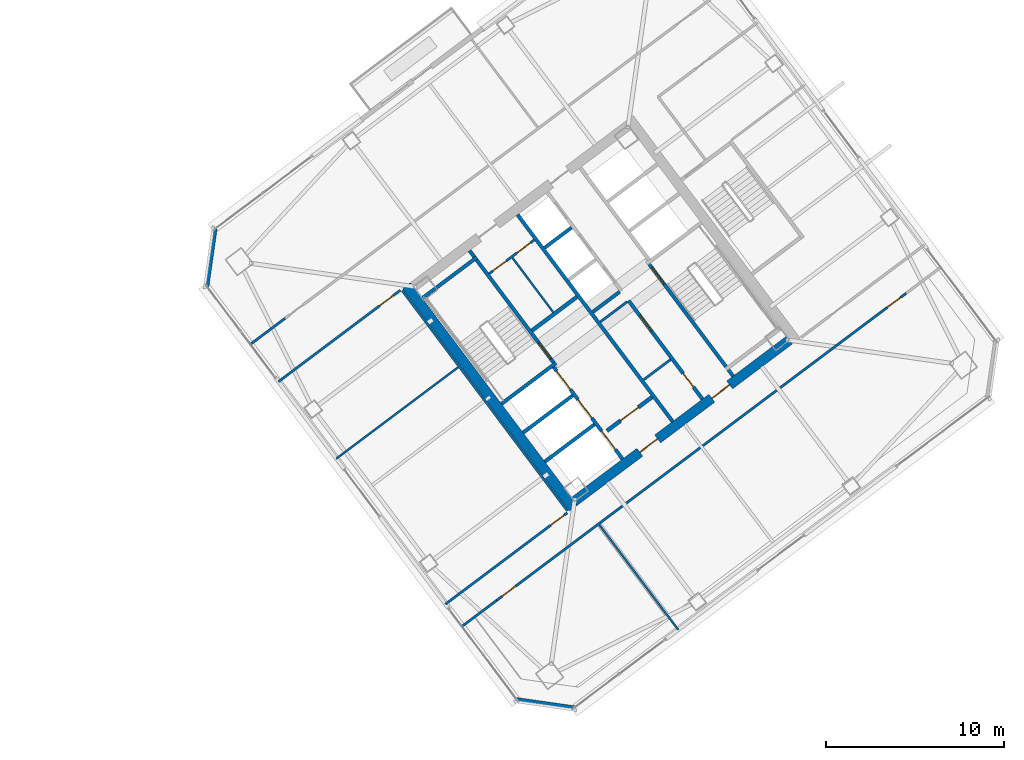
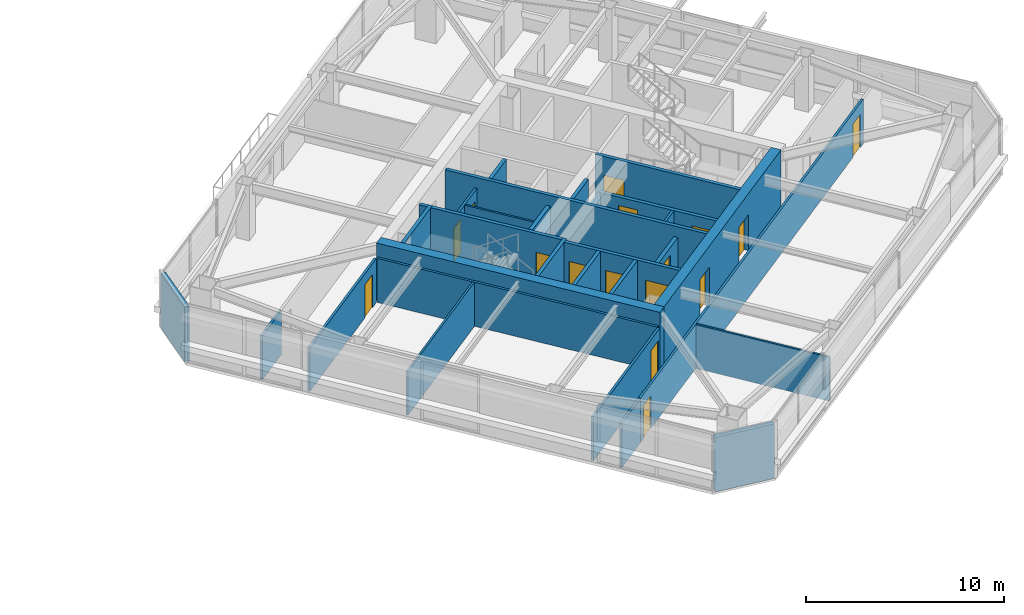
# One storey, part 36 of 44: 29 walls, 16 doors, 16 openings.
"""IFC4 building model written with IfcOpenShell, lengths in metres."""

from ifc_helpers import new_model, si_unit, direction, frame, frame_2d, origin, place, context, subcontext, project, spatial, rectangle, extrude, material, layer, layer_set, type_object, element, fill, save


model = new_model("IFC4")

# Units and contexts
model_context = context("Model", 3, precision=1e-05, world=origin(), true_north=direction((0.0, 1.0)))
body_context = subcontext(model_context, "Body", "Model", "MODEL_VIEW")
ifc_project = project(units=[si_unit("LENGTHUNIT", "METRE"), si_unit("AREAUNIT", "SQUARE_METRE"), si_unit("VOLUMEUNIT", "CUBIC_METRE"), si_unit("PLANEANGLEUNIT", "RADIAN"), si_unit("MASSUNIT", "GRAM", prefix="KILO")], contexts=[model_context])

# Site, building, storey
site_placement = place(None, origin())
site = spatial("IfcSite", under=ifc_project, at=site_placement, CompositionType="ELEMENT")
building_placement = place(site_placement, origin())
building = spatial("IfcBuilding", under=site, at=building_placement, Name="Tashvorn Skyway Center", CompositionType="ELEMENT")
storey_placement = place(building_placement, frame((0.0, 0.0, 181.85009765625)))
storey = spatial("IfcBuildingStorey", under=building, at=storey_placement, Name="L49", CompositionType="ELEMENT", Elevation=181.85009765625)

# Wall
ifc_material_1 = material(Name="Concrete C60/75", Category="concrete")
ifc_layer_1 = layer(ifc_material_1, 0.550048828125)
ifc_layer_set_1 = layer_set([ifc_layer_1], Name="Concrete C60/75")
wall_type_1 = type_object("IfcWallType", Name="WALL-CORE-550", PredefinedType="SHEAR", material=ifc_layer_set_1)
wall_1_placement = place(storey_placement, frame((112.43603515625, 21.076904296875, 0.0), z_axis=(0.0, 0.0, 1.0), x_axis=(-0.600005007985, 0.799996243986, 0.0)))
element("IfcWall", 1, at=wall_1_placement, inside=storey, type_object=wall_type_1, Name="Tower 2 L49 West Core Shear Wall", PredefinedType="SHEAR", context=body_context, shape_type="SweptSolid", body=[
    extrude(rectangle(XDim=15.60009765625, YDim=0.550048828125, at=frame_2d((7.800048828125, 0.0))), origin(), (0.0, 0.0, 1.0), 3.5498046875),
])

# Wall, openings, doors
wall_2_placement = place(storey_placement, frame((124.5390625, 30.498046875, 0.0), z_axis=(0.0, 0.0, 1.0), x_axis=(-0.799998054672, -0.600002593761, 0.0)))
wall_2 = element("IfcWall", 2, at=wall_2_placement, inside=storey, type_object=wall_type_1, Name="Tower 2 L49 South Core Shear Wall", PredefinedType="SHEAR", context=body_context, shape_type="SweptSolid", body=[
    extrude(rectangle(XDim=15.06005859375, YDim=0.550048828125, at=frame_2d((7.530029296875, 0.0))), origin(), (0.0, 0.0, 1.0), 3.5498046875),
])
opening_1_placement = place(wall_2_placement, frame((9.22998046875, 0.0, 0.0)))
opening_1 = element("IfcOpeningElement", 3, at=opening_1_placement, cuts=wall_2, Name="Opening D-FFL-1250", PredefinedType="OPENING", context=body_context, shape_type="SweptSolid", body=[
    extrude(rectangle(XDim=1.25, YDim=2.25, at=frame_2d((0.625, 1.125))), frame((0.0, 0.284912109375, 0.0), z_axis=(0.0, -1.0, 0.0), x_axis=(1.0, 0.0, 0.0)), (0.0, 0.0, 1.0), 0.570068359375),
])
opening_2_placement = place(wall_2_placement, frame((4.179931640625, 0.0, 0.0)))
opening_2 = element("IfcOpeningElement", 4, at=opening_2_placement, cuts=wall_2, Name="Opening D-FFL-1250", PredefinedType="OPENING", context=body_context, shape_type="SweptSolid", body=[
    extrude(rectangle(XDim=1.25, YDim=2.25, at=frame_2d((0.625, 1.125))), frame((0.0, 0.284912109375, 0.0), z_axis=(0.0, -1.0, 0.0), x_axis=(1.0, 0.0, 0.0)), (0.0, 0.0, 1.0), 0.570068359375),
])
ifc_material_2 = material(Name="Hollow galvanized steel fire door assembly", Category="steel")
door_type_1 = type_object("IfcDoorType", Name="DOOR-FFL-1250", OperationType="NOTDEFINED", PredefinedType="DOOR", material=ifc_material_2)
door_1_placement = place(opening_1_placement, origin())
door_1 = element("IfcDoor", 5, at=door_1_placement, inside=storey, type_object=door_type_1, Name="Tower 2 L49 Core South Firefighting Exit Door", OperationType="SINGLE_SWING_LEFT", OverallHeight=2.25, OverallWidth=1.25, PredefinedType="DOOR", context=body_context, shape_type="SweptSolid", body=[
    extrude(rectangle(XDim=1.25, YDim=2.25, at=frame_2d((0.625, 1.125))), frame((0.0, 0.02490234375, 0.0), z_axis=(0.0, -1.0, 0.0), x_axis=(1.0, 0.0, 0.0)), (0.0, 0.0, 1.0), 0.050048828125),
])
fill(opening_1, door_1)
door_2_placement = place(opening_2_placement, origin())
door_2 = element("IfcDoor", 6, at=door_2_placement, inside=storey, type_object=door_type_1, Name="Tower 2 L49 Core South Lift Lobby Door", OperationType="SINGLE_SWING_RIGHT", OverallHeight=2.25, OverallWidth=1.25, PredefinedType="DOOR", context=body_context, shape_type="SweptSolid", body=[
    extrude(rectangle(XDim=1.25, YDim=2.25, at=frame_2d((0.625, 1.125))), frame((0.0, 0.02490234375, 0.0), z_axis=(0.0, -1.0, 0.0), x_axis=(1.0, 0.0, 0.0)), (0.0, 0.0, 1.0), 0.050048828125),
])
fill(opening_2, door_2)

# Walls
ifc_material_3 = material(Name="Precast concrete C40/50", Category="concrete")
ifc_layer_2 = layer(ifc_material_3, 0.280029296875)
ifc_layer_set_2 = layer_set([ifc_layer_2], Name="Precast concrete C40/50")
wall_type_2 = type_object("IfcWallType", Name="WALL-EXT-280", PredefinedType="SOLIDWALL", material=ifc_layer_set_2)
for number, where, z_axis, x_axis, name in (
    (7, (112.47998046875, 9.860107421875, 0.0), (0.0, 0.0, 1.0), (-0.989950994782, 0.141410847992, 0.0), "Tower 2 L49 SW Precast Chamfer Wall"),
    (8, (91.860107421875, 33.52001953125, 0.0), (0.0, 0.0, 1.0), (0.141410847992, 0.989950994782, 0.0), "Tower 2 L49 NW Precast Chamfer Wall"),
):
    element("IfcWall", number, at=place(storey_placement, frame(where, z_axis=z_axis, x_axis=x_axis)), inside=storey, type_object=wall_type_2, Name=name, PredefinedType="SOLIDWALL", context=body_context, shape_type="SweptSolid", body=[
        extrude(rectangle(XDim=3.252685546875, YDim=0.280029296875, at=frame_2d((1.62646484375, 0.0))), origin(), (0.0, 0.0, 1.0), 3.369873046875),
    ])
ifc_material_4 = material(Name="Concrete C40/50", Category="concrete")
ifc_layer_3 = layer(ifc_material_4, 0.219970703125)
ifc_layer_set_3 = layer_set([ifc_layer_3], Name="Concrete C40/50")
wall_type_3 = type_object("IfcWallType", Name="WALL-FFL-220", PredefinedType="SOLIDWALL", material=ifc_layer_set_3)
wall_3_placement = place(storey_placement, frame((110.10400390625, 31.028076171875, 0.0), z_axis=(0.0, 0.0, 1.0), x_axis=(0.800018601094, 0.59997519774, 0.0)))
element("IfcWall", 9, at=wall_3_placement, inside=storey, type_object=wall_type_3, Name="Tower 2 L49 Firefighting Lobby North Wall", PredefinedType="SOLIDWALL", context=body_context, shape_type="SweptSolid", body=[
    extrude(rectangle(XDim=3.14990234375, YDim=0.219970703125, at=frame_2d((1.574951171875, 0.0))), origin(), (0.0, 0.0, 1.0), 2.722900390625),
])

# Wall, opening, door
wall_4_placement = place(storey_placement, frame((114.31591796875, 25.412109375, 0.0), z_axis=(0.0, 0.0, 1.0), x_axis=(0.800018601094, 0.59997519774, 0.0)))
wall_4 = element("IfcWall", 10, at=wall_4_placement, inside=storey, type_object=wall_type_3, Name="Tower 2 L49 Firefighting Lobby South Wall", PredefinedType="SOLIDWALL", context=body_context, shape_type="SweptSolid", body=[
    extrude(rectangle(XDim=3.14990234375, YDim=0.219970703125, at=frame_2d((1.574951171875, 0.0))), origin(), (0.0, 0.0, 1.0), 2.722900390625),
])
opening_3_placement = place(wall_4_placement, frame((0.949951171875, 0.0, 0.0)))
opening_3 = element("IfcOpeningElement", 11, at=opening_3_placement, cuts=wall_4, Name="Opening D-FFL-1250", PredefinedType="OPENING", context=body_context, shape_type="SweptSolid", body=[
    extrude(rectangle(XDim=1.25, YDim=2.25, at=frame_2d((0.625, 1.125))), frame((0.0, 0.119873046875, 0.0), z_axis=(0.0, -1.0, 0.0), x_axis=(1.0, 0.0, 0.0)), (0.0, 0.0, 1.0), 0.239990234375),
])
door_3_placement = place(opening_3_placement, origin())
door_3 = element("IfcDoor", 12, at=door_3_placement, inside=storey, type_object=door_type_1, Name="Tower 2 L49 Firefighting Lobby Egress Door", OperationType="SINGLE_SWING_LEFT", OverallHeight=2.25, OverallWidth=1.25, PredefinedType="DOOR", context=body_context, shape_type="SweptSolid", body=[
    extrude(rectangle(XDim=1.25, YDim=2.25, at=frame_2d((0.625, 1.125))), frame((0.0, 0.02490234375, 0.0), z_axis=(0.0, -1.0, 0.0), x_axis=(1.0, 0.0, 0.0)), (0.0, 0.0, 1.0), 0.050048828125),
])
fill(opening_3, door_3)

# Walls
ifc_material_5 = material(Name="Gypsum board on cold-formed steel stud framing", Category="steel")
ifc_layer_4 = layer(ifc_material_5, 0.110107421875)
ifc_layer_set_4 = layer_set([ifc_layer_4], Name="Gypsum board on cold-formed steel stud framing")
wall_type_4 = type_object("IfcWallType", Name="WALL-PART-110", PredefinedType="PARTITIONING", material=ifc_layer_set_4)
wall_5_placement = place(storey_placement, frame((118.30810546875, 14.256103515625, 0.0), z_axis=(0.0, 0.0, 1.0), x_axis=(-0.600021258292, 0.79998405584, 0.0)))
element("IfcWall", 13, at=wall_5_placement, inside=storey, type_object=wall_type_4, Name="Tower 2 L49 South Suite Partition 1", PredefinedType="PARTITIONING", context=body_context, shape_type="SweptSolid", body=[
    extrude(rectangle(XDim=7.35009765625, YDim=0.110107421875, at=frame_2d((3.675048828125, 0.0))), origin(), (0.0, 0.0, 1.0), 2.722900390625),
])
wall_6_placement = place(storey_placement, frame((99.135986328125, 23.85205078125, 0.0), z_axis=(0.0, 0.0, 1.0), x_axis=(0.8, 0.6, 0.0)))
element("IfcWall", 14, at=wall_6_placement, inside=storey, type_object=wall_type_4, Name="Tower 2 L49 West Mid Partition", PredefinedType="PARTITIONING", context=body_context, shape_type="SweptSolid", body=[
    extrude(rectangle(XDim=8.5400390625, YDim=0.110107421875, at=frame_2d((4.27001953125, 0.0))), origin(), (0.0, 0.0, 1.0), 2.722900390625),
])
ifc_layer_5 = layer(ifc_material_5, 0.135009765625)
ifc_layer_set_5 = layer_set([ifc_layer_5], Name="Gypsum board on cold-formed steel stud framing")
wall_type_5 = type_object("IfcWallType", Name="WALL-PART-135", PredefinedType="PARTITIONING", material=ifc_layer_set_5)
wall_7_placement = place(storey_placement, frame((94.323974609375, 30.26806640625, 0.0), z_axis=(0.0, 0.0, 1.0), x_axis=(0.800012055778, 0.599983925293, 0.0)))
element("IfcWall", 15, at=wall_7_placement, inside=storey, type_object=wall_type_5, Name="Tower 2 L49 North-West Suite South Wall", PredefinedType="PARTITIONING", context=body_context, shape_type="SweptSolid", body=[
    extrude(rectangle(XDim=2.43017578125, YDim=0.135009765625, at=frame_2d((1.215087890625, 0.0))), origin(), (0.0, 0.0, 1.0), 2.722900390625),
])

# Wall, openings, doors
wall_8_placement = place(storey_placement, frame((131.090087890625, 33.1298828125, 0.0), z_axis=(0.0, 0.0, 1.0), x_axis=(-0.800003062365, -0.599995916825, 0.0)))
wall_8 = element("IfcWall", 16, at=wall_8_placement, inside=storey, type_object=wall_type_5, Name="Tower 2 L49 South Suite Wall", PredefinedType="PARTITIONING", context=body_context, shape_type="SweptSolid", body=[
    extrude(rectangle(XDim=28.7001953125, YDim=0.135009765625, at=frame_2d((14.35009765625, 0.0))), origin(), (0.0, 0.0, 1.0), 2.722900390625),
])
opening_4_placement = place(wall_8_placement, frame((27.3701171875, 0.0, 0.0)))
opening_4 = element("IfcOpeningElement", 17, at=opening_4_placement, cuts=wall_8, Name="Opening D-INT-950", PredefinedType="OPENING", context=body_context, shape_type="SweptSolid", body=[
    extrude(rectangle(XDim=0.949951171875, YDim=2.050048828125, at=frame_2d((0.47509765625, 1.02490234375))), frame((0.0, 0.077392578125, 0.0), z_axis=(0.0, -1.0, 0.0), x_axis=(1.0, 0.0, 0.0)), (0.0, 0.0, 1.0), 0.155029296875),
])
opening_5_placement = place(wall_8_placement, frame((0.3798828125, 0.0, 0.0)))
opening_5 = element("IfcOpeningElement", 18, at=opening_5_placement, cuts=wall_8, Name="Opening D-INT-950", PredefinedType="OPENING", context=body_context, shape_type="SweptSolid", body=[
    extrude(rectangle(XDim=0.949951171875, YDim=2.050048828125, at=frame_2d((0.47509765625, 1.02490234375))), frame((0.0, 0.077392578125, 0.0), z_axis=(0.0, -1.0, 0.0), x_axis=(1.0, 0.0, 0.0)), (0.0, 0.0, 1.0), 0.155029296875),
])
ifc_material_6 = material(Name="Solid-core architectural oak veneer door")
door_type_2 = type_object("IfcDoorType", Name="DOOR-INT-950", OperationType="NOTDEFINED", PredefinedType="DOOR", material=ifc_material_6)
door_4_placement = place(opening_4_placement, origin())
door_4 = element("IfcDoor", 19, at=door_4_placement, inside=storey, type_object=door_type_2, Name="Tower 2 L49 Wellness Clinic Door", OperationType="SINGLE_SWING_LEFT", OverallHeight=2.050048828125, OverallWidth=0.949951171875, PredefinedType="DOOR", context=body_context, shape_type="SweptSolid", body=[
    extrude(rectangle(XDim=0.949951171875, YDim=2.050048828125, at=frame_2d((0.47509765625, 1.02490234375))), frame((0.0, 0.02490234375, 0.0), z_axis=(0.0, -1.0, 0.0), x_axis=(1.0, 0.0, 0.0)), (0.0, 0.0, 1.0), 0.050048828125),
])
fill(opening_4, door_4)
door_5_placement = place(opening_5_placement, origin())
door_5 = element("IfcDoor", 20, at=door_5_placement, inside=storey, type_object=door_type_2, Name="Tower 2 L49 Security Control Room Door", OperationType="SINGLE_SWING_RIGHT", OverallHeight=2.050048828125, OverallWidth=0.949951171875, PredefinedType="DOOR", context=body_context, shape_type="SweptSolid", body=[
    extrude(rectangle(XDim=0.949951171875, YDim=2.050048828125, at=frame_2d((0.47509765625, 1.02490234375))), frame((0.0, 0.02490234375, 0.0), z_axis=(0.0, -1.0, 0.0), x_axis=(1.0, 0.0, 0.0)), (0.0, 0.0, 1.0), 0.050048828125),
])
fill(opening_5, door_5)

# Walls
wall_9_placement = place(storey_placement, frame((106.18603515625, 14.451904296875, 0.0), z_axis=(0.0, 0.0, 1.0), x_axis=(0.799975885537, 0.600032151272, 0.0)))
element("IfcWall", 21, at=wall_9_placement, inside=storey, type_object=wall_type_5, Name="Tower 2 L49 South-West Suite North Wall", PredefinedType="PARTITIONING", context=body_context, shape_type="SweptSolid", body=[
    extrude(rectangle(XDim=2.429931640625, YDim=0.135009765625, at=frame_2d((1.21484375, 0.0))), origin(), (0.0, 0.0, 1.0), 2.722900390625),
])
wall_10_placement = place(storey_placement, frame((112.10400390625, 20.927978515625, 0.0), z_axis=(0.0, 0.0, 1.0), x_axis=(-0.599994940075, 0.800003794918, 0.0)))
element("IfcWall", 22, at=wall_10_placement, inside=storey, type_object=wall_type_5, Name="Tower 2 L49 West Inner Suite Wall", PredefinedType="PARTITIONING", context=body_context, shape_type="SweptSolid", body=[
    extrude(rectangle(XDim=15.43994140625, YDim=0.135009765625, at=frame_2d((7.719970703125, 0.0))), origin(), (0.0, 0.0, 1.0), 2.722900390625),
])

# Wall, opening, door
wall_11_placement = place(storey_placement, frame((102.72802734375, 33.2958984375, 0.0), z_axis=(0.0, 0.0, 1.0), x_axis=(-0.800013722153, -0.59998170336, 0.0)))
wall_11 = element("IfcWall", 23, at=wall_11_placement, inside=storey, type_object=wall_type_5, Name="Tower 2 L49 West Suite North Wall", PredefinedType="PARTITIONING", context=body_context, shape_type="SweptSolid", body=[
    extrude(rectangle(XDim=8.539794921875, YDim=0.135009765625, at=frame_2d((4.27001953125, 0.0))), origin(), (0.0, 0.0, 1.0), 2.722900390625),
])
opening_6_placement = place(wall_11_placement, frame((0.5, 0.0, 0.0)))
opening_6 = element("IfcOpeningElement", 24, at=opening_6_placement, cuts=wall_11, Name="Opening D-INT-950", PredefinedType="OPENING", context=body_context, shape_type="SweptSolid", body=[
    extrude(rectangle(XDim=0.949951171875, YDim=2.050048828125, at=frame_2d((0.47509765625, 1.02490234375))), frame((0.0, 0.077392578125, 0.0), z_axis=(0.0, -1.0, 0.0), x_axis=(1.0, 0.0, 0.0)), (0.0, 0.0, 1.0), 0.155029296875),
])
door_6_placement = place(opening_6_placement, origin())
door_6 = element("IfcDoor", 25, at=door_6_placement, inside=storey, type_object=door_type_2, Name="Tower 2 L49 Corporate Office Door", OperationType="SINGLE_SWING_LEFT", OverallHeight=2.050048828125, OverallWidth=0.949951171875, PredefinedType="DOOR", context=body_context, shape_type="SweptSolid", body=[
    extrude(rectangle(XDim=0.949951171875, YDim=2.050048828125, at=frame_2d((0.47509765625, 1.02490234375))), frame((0.0, 0.02490234375, 0.0), z_axis=(0.0, -1.0, 0.0), x_axis=(1.0, 0.0, 0.0)), (0.0, 0.0, 1.0), 0.050048828125),
])
fill(opening_6, door_6)

wall_12_placement = place(storey_placement, frame((105.256103515625, 15.69189453125, 0.0), z_axis=(0.0, 0.0, 1.0), x_axis=(0.799989708052, 0.600013722352, 0.0)))
wall_12 = element("IfcWall", 26, at=wall_12_placement, inside=storey, type_object=wall_type_5, Name="Tower 2 L49 West Suite South Wall", PredefinedType="PARTITIONING", context=body_context, shape_type="SweptSolid", body=[
    extrude(rectangle(XDim=8.539794921875, YDim=0.135009765625, at=frame_2d((4.27001953125, 0.0))), origin(), (0.0, 0.0, 1.0), 2.722900390625),
])
opening_7_placement = place(wall_12_placement, frame((7.3798828125, 0.0, 0.0)))
opening_7 = element("IfcOpeningElement", 27, at=opening_7_placement, cuts=wall_12, Name="Opening D-INT-950", PredefinedType="OPENING", context=body_context, shape_type="SweptSolid", body=[
    extrude(rectangle(XDim=0.949951171875, YDim=2.050048828125, at=frame_2d((0.47509765625, 1.02490234375))), frame((0.0, 0.077392578125, 0.0), z_axis=(0.0, -1.0, 0.0), x_axis=(1.0, 0.0, 0.0)), (0.0, 0.0, 1.0), 0.155029296875),
])
door_7_placement = place(opening_7_placement, origin())
door_7 = element("IfcDoor", 28, at=door_7_placement, inside=storey, type_object=door_type_2, Name="Tower 2 L49 Public Restroom Door", OperationType="SINGLE_SWING_RIGHT", OverallHeight=2.050048828125, OverallWidth=0.949951171875, PredefinedType="DOOR", context=body_context, shape_type="SweptSolid", body=[
    extrude(rectangle(XDim=0.949951171875, YDim=2.050048828125, at=frame_2d((0.47509765625, 1.02490234375))), frame((0.0, 0.02490234375, 0.0), z_axis=(0.0, -1.0, 0.0), x_axis=(1.0, 0.0, 0.0)), (0.0, 0.0, 1.0), 0.050048828125),
])
fill(opening_7, door_7)

# Wall
ifc_layer_6 = layer(ifc_material_5, 0.110107421875)
ifc_layer_set_6 = layer_set([ifc_layer_6], Name="Gypsum board on cold-formed steel stud framing")
wall_type_6 = type_object("IfcWallType", Name="WALL-RATED-110", PredefinedType="PARTITIONING", material=ifc_layer_set_6)
wall_13_placement = place(storey_placement, frame((111.2958984375, 32.072021484375, 0.0), z_axis=(0.0, 0.0, 1.0), x_axis=(-0.59995887973, 0.800030838552, 0.0)))
element("IfcWall", 29, at=wall_13_placement, inside=storey, type_object=wall_type_6, Name="Tower 2 L49 Core Split Partition", PredefinedType="PARTITIONING", context=body_context, shape_type="SweptSolid", body=[
    extrude(rectangle(XDim=3.7998046875, YDim=0.110107421875, at=frame_2d((1.89990234375, 0.0))), origin(), (0.0, 0.0, 1.0), 2.722900390625),
])

# Wall, openings, doors
ifc_layer_7 = layer(ifc_material_5, 0.135009765625)
ifc_layer_set_7 = layer_set([ifc_layer_7], Name="Gypsum board on cold-formed steel stud framing")
wall_type_7 = type_object("IfcWallType", Name="WALL-RATED-135", PredefinedType="PARTITIONING", material=ifc_layer_set_7)
wall_14_placement = place(storey_placement, frame((107.7099609375, 34.219970703125, 0.0), z_axis=(0.0, 0.0, 1.0), x_axis=(0.799981399002, 0.60002480053, 0.0)))
wall_14 = element("IfcWall", 30, at=wall_14_placement, inside=storey, type_object=wall_type_7, Name="Tower 2 L49 Core Service Lobby Wall", PredefinedType="PARTITIONING", context=body_context, shape_type="SweptSolid", body=[
    extrude(rectangle(XDim=3.150146484375, YDim=0.135009765625, at=frame_2d((1.5751953125, 0.0))), origin(), (0.0, 0.0, 1.0), 2.722900390625),
])
opening_8_placement = place(wall_14_placement, frame((0.25, 0.0, 0.0)))
opening_8 = element("IfcOpeningElement", 31, at=opening_8_placement, cuts=wall_14, Name="Opening D-RT-950", PredefinedType="OPENING", context=body_context, shape_type="SweptSolid", body=[
    extrude(rectangle(XDim=0.949951171875, YDim=2.050048828125, at=frame_2d((0.47509765625, 1.02490234375))), frame((0.0, 0.077392578125, 0.0), z_axis=(0.0, -1.0, 0.0), x_axis=(1.0, 0.0, 0.0)), (0.0, 0.0, 1.0), 0.155029296875),
])
opening_9_placement = place(wall_14_placement, frame((1.949951171875, 0.0, 0.0)))
opening_9 = element("IfcOpeningElement", 32, at=opening_9_placement, cuts=wall_14, Name="Opening D-RT-950", PredefinedType="OPENING", context=body_context, shape_type="SweptSolid", body=[
    extrude(rectangle(XDim=0.949951171875, YDim=2.050048828125, at=frame_2d((0.47509765625, 1.02490234375))), frame((0.0, 0.077392578125, 0.0), z_axis=(0.0, -1.0, 0.0), x_axis=(1.0, 0.0, 0.0)), (0.0, 0.0, 1.0), 0.155029296875),
])
door_type_3 = type_object("IfcDoorType", Name="DOOR-RATED-950", OperationType="NOTDEFINED", PredefinedType="DOOR", material=ifc_material_2)
door_8_placement = place(opening_8_placement, origin())
door_8 = element("IfcDoor", 33, at=door_8_placement, inside=storey, type_object=door_type_3, Name="Tower 2 L49 Core Accessible WC Door", OperationType="SINGLE_SWING_LEFT", OverallHeight=2.050048828125, OverallWidth=0.949951171875, PredefinedType="DOOR", context=body_context, shape_type="SweptSolid", body=[
    extrude(rectangle(XDim=0.949951171875, YDim=2.050048828125, at=frame_2d((0.47509765625, 1.02490234375))), frame((0.0, 0.02490234375, 0.0), z_axis=(0.0, -1.0, 0.0), x_axis=(1.0, 0.0, 0.0)), (0.0, 0.0, 1.0), 0.050048828125),
])
fill(opening_8, door_8)
door_9_placement = place(opening_9_placement, origin())
door_9 = element("IfcDoor", 34, at=door_9_placement, inside=storey, type_object=door_type_3, Name="Tower 2 L49 Core Cleaner Store Door", OperationType="SINGLE_SWING_RIGHT", OverallHeight=2.050048828125, OverallWidth=0.949951171875, PredefinedType="DOOR", context=body_context, shape_type="SweptSolid", body=[
    extrude(rectangle(XDim=0.949951171875, YDim=2.050048828125, at=frame_2d((0.47509765625, 1.02490234375))), frame((0.0, 0.02490234375, 0.0), z_axis=(0.0, -1.0, 0.0), x_axis=(1.0, 0.0, 0.0)), (0.0, 0.0, 1.0), 0.050048828125),
])
fill(opening_9, door_9)

# Walls
for number, where, z_axis, x_axis, name in (
    (35, (113.946044921875, 31.52197265625, 0.0), (0.0, 0.0, 1.0), (0.8, 0.6, 0.0), "Tower 2 L49 Core Room Partition"),
    (36, (116.3759765625, 28.281982421875, 0.0), (0.0, 0.0, 1.0), (0.8, 0.6, 0.0), "Tower 2 L49 Freed Core Partition"),
):
    element("IfcWall", number, at=place(storey_placement, frame(where, z_axis=z_axis, x_axis=x_axis)), inside=storey, type_object=wall_type_7, Name=name, PredefinedType="PARTITIONING", context=body_context, shape_type="SweptSolid", body=[
        extrude(rectangle(XDim=1.8798828125, YDim=0.135009765625, at=frame_2d((0.93994140625, 0.0))), origin(), (0.0, 0.0, 1.0), 2.722900390625),
    ])
ifc_layer_8 = layer(ifc_material_4, 0.199951171875)
ifc_layer_set_8 = layer_set([ifc_layer_8], Name="Concrete C40/50")
wall_type_8 = type_object("IfcWallType", Name="WALL-SHAFT-200", PredefinedType="SOLIDWALL", material=ifc_layer_set_8)
for number, where, z_axis, x_axis, name in (
    (37, (110.825927734375, 23.681884765625, 0.0), (0.0, 0.0, 1.0), (0.8, 0.6, 0.0), "Tower 2 L49 FSAE Shaft Divider"),
    (38, (109.60791015625, 25.305908203125, 0.0), (0.0, 0.0, 1.0), (0.8, 0.6, 0.0), "Tower 2 L49 FSAE Shaft Divider"),
):
    element("IfcWall", number, at=place(storey_placement, frame(where, z_axis=z_axis, x_axis=x_axis)), inside=storey, type_object=wall_type_8, Name=name, PredefinedType="SOLIDWALL", context=body_context, shape_type="SweptSolid", body=[
        extrude(rectangle(XDim=3.480224609375, YDim=0.199951171875, at=frame_2d((1.740234375, 0.0))), origin(), (0.0, 0.0, 1.0), 3.369873046875),
    ])

# Wall, openings, doors
wall_15_placement = place(storey_placement, frame((119.669921875, 27.18994140625, 0.0), z_axis=(0.0, 0.0, 1.0), x_axis=(-0.599988677396, 0.800008491828, 0.0)))
wall_15 = element("IfcWall", 39, at=wall_15_placement, inside=storey, type_object=wall_type_8, Name="Tower 2 L49 Low-Rise Core Wall", PredefinedType="SOLIDWALL", context=body_context, shape_type="SweptSolid", body=[
    extrude(rectangle(XDim=6.89990234375, YDim=0.199951171875, at=frame_2d((3.449951171875, 0.0))), origin(), (0.0, 0.0, 1.0), 2.722900390625),
])
opening_10_placement = place(wall_15_placement, frame((0.85009765625, 0.0, 0.0)))
opening_10 = element("IfcOpeningElement", 40, at=opening_10_placement, cuts=wall_15, Name="Opening D-RT-950", PredefinedType="OPENING", context=body_context, shape_type="SweptSolid", body=[
    extrude(rectangle(XDim=0.949951171875, YDim=2.050048828125, at=frame_2d((0.47509765625, 1.02490234375))), frame((0.0, 0.10986328125, 0.0), z_axis=(0.0, -1.0, 0.0), x_axis=(1.0, 0.0, 0.0)), (0.0, 0.0, 1.0), 0.219970703125),
])
opening_11_placement = place(wall_15_placement, frame((4.800048828125, 0.0, 0.0)))
opening_11 = element("IfcOpeningElement", 41, at=opening_11_placement, cuts=wall_15, Name="Opening D-RT-1050", PredefinedType="OPENING", context=body_context, shape_type="SweptSolid", body=[
    extrude(rectangle(XDim=1.050048828125, YDim=2.199951171875, at=frame_2d((0.52490234375, 1.10009765625))), frame((0.0, 0.10986328125, 0.0), z_axis=(0.0, -1.0, 0.0), x_axis=(1.0, 0.0, 0.0)), (0.0, 0.0, 1.0), 0.219970703125),
])
door_type_4 = type_object("IfcDoorType", Name="DOOR-RATED-1050", OperationType="NOTDEFINED", PredefinedType="DOOR", material=ifc_material_2)
door_10_placement = place(opening_11_placement, origin())
door_10 = element("IfcDoor", 42, at=door_10_placement, inside=storey, type_object=door_type_4, Name="Tower 2 L49 Freed Core Room Door", OperationType="SINGLE_SWING_RIGHT", OverallHeight=2.199951171875, OverallWidth=1.050048828125, PredefinedType="DOOR", context=body_context, shape_type="SweptSolid", body=[
    extrude(rectangle(XDim=1.050048828125, YDim=2.199951171875, at=frame_2d((0.52490234375, 1.10009765625))), frame((0.0, 0.02490234375, 0.0), z_axis=(0.0, -1.0, 0.0), x_axis=(1.0, 0.0, 0.0)), (0.0, 0.0, 1.0), 0.050048828125),
])
fill(opening_11, door_10)
door_11_placement = place(opening_10_placement, origin())
door_11 = element("IfcDoor", 43, at=door_11_placement, inside=storey, type_object=door_type_3, Name="Tower 2 L49 Core Print Room Door", OperationType="SINGLE_SWING_LEFT", OverallHeight=2.050048828125, OverallWidth=0.949951171875, PredefinedType="DOOR", context=body_context, shape_type="SweptSolid", body=[
    extrude(rectangle(XDim=0.949951171875, YDim=2.050048828125, at=frame_2d((0.47509765625, 1.02490234375))), frame((0.0, 0.02490234375, 0.0), z_axis=(0.0, -1.0, 0.0), x_axis=(1.0, 0.0, 0.0)), (0.0, 0.0, 1.0), 0.050048828125),
])
fill(opening_10, door_11)

# Walls
for number, where, z_axis, x_axis, name in (
    (44, (113.52587890625, 32.08203125, 0.0), (0.0, 0.0, 1.0), (0.800046745961, 0.599937666993, 0.0), "Tower 2 L49 Mid-Rise Shaft Divider"),
    (45, (110.825927734375, 35.681884765625, 0.0), (0.0, 0.0, 1.0), (0.799984418148, 0.600020775241, 0.0), "Tower 2 L49 Mid-Rise Shaft Divider"),
):
    element("IfcWall", number, at=place(storey_placement, frame(where, z_axis=z_axis, x_axis=x_axis)), inside=storey, type_object=wall_type_8, Name=name, PredefinedType="SOLIDWALL", context=body_context, shape_type="SweptSolid", body=[
        extrude(rectangle(XDim=1.880126953125, YDim=0.199951171875, at=frame_2d((0.93994140625, 0.0))), origin(), (0.0, 0.0, 1.0), 3.369873046875),
    ])

# Wall, opening, door
ifc_layer_9 = layer(ifc_material_4, 0.199951171875)
ifc_layer_set_9 = layer_set([ifc_layer_9], Name="Concrete C40/50")
wall_type_9 = type_object("IfcWallType", Name="WALL-STSHF-200", PredefinedType="SHEAR", material=ifc_layer_set_9)
wall_16_placement = place(storey_placement, frame((111.43994140625, 29.080078125, 0.0), z_axis=(0.0, 0.0, 1.0), x_axis=(-0.59999029481, 0.8000072788, 0.0)))
wall_16 = element("IfcWall", 46, at=wall_16_placement, inside=storey, type_object=wall_type_9, Name="Tower 2 L49 Stair 1 Enclosure Wall", PredefinedType="SHEAR", context=body_context, shape_type="SweptSolid", body=[
    extrude(rectangle(XDim=8.0498046875, YDim=0.199951171875, at=frame_2d((4.02490234375, 0.0))), origin(), (0.0, 0.0, 1.0), 3.369873046875),
])
opening_12_placement = place(wall_16_placement, frame((0.449951171875, 0.0, 0.0)))
opening_12 = element("IfcOpeningElement", 47, at=opening_12_placement, cuts=wall_16, Name="Opening D-ST-1150", PredefinedType="OPENING", context=body_context, shape_type="SweptSolid", body=[
    extrude(rectangle(XDim=1.14990234375, YDim=2.199951171875, at=frame_2d((0.574951171875, 1.10009765625))), frame((0.0, 0.10986328125, 0.0), z_axis=(0.0, -1.0, 0.0), x_axis=(1.0, 0.0, 0.0)), (0.0, 0.0, 1.0), 0.219970703125),
])
door_type_5 = type_object("IfcDoorType", Name="DOOR-STAIR-1150", OperationType="NOTDEFINED", PredefinedType="DOOR", material=ifc_material_2)
door_12_placement = place(opening_12_placement, origin())
door_12 = element("IfcDoor", 48, at=door_12_placement, inside=storey, type_object=door_type_5, Name="Tower 2 L49 Exit Stair 1 Door", OperationType="SINGLE_SWING_RIGHT", OverallHeight=2.199951171875, OverallWidth=1.14990234375, PredefinedType="DOOR", context=body_context, shape_type="SweptSolid", body=[
    extrude(rectangle(XDim=1.14990234375, YDim=2.199951171875, at=frame_2d((0.574951171875, 1.10009765625))), frame((0.0, 0.02490234375, 0.0), z_axis=(0.0, -1.0, 0.0), x_axis=(1.0, 0.0, 0.0)), (0.0, 0.0, 1.0), 0.050048828125),
])
fill(opening_12, door_12)

# Walls
for number, where, z_axis, x_axis, name in (
    (49, (108.39599609375, 26.922119140625, 0.0), (0.0, 0.0, 1.0), (0.800015298837, 0.599979601008, 0.0), "Tower 2 L49 Stair 1 South Wall"),
    (50, (103.9560546875, 32.842041015625, 0.0), (0.0, 0.0, 1.0), (0.800015298837, 0.599979601008, 0.0), "Tower 2 L49 Stair 1 North Wall"),
):
    element("IfcWall", number, at=place(storey_placement, frame(where, z_axis=z_axis, x_axis=x_axis)), inside=storey, type_object=wall_type_9, Name=name, PredefinedType="SHEAR", context=body_context, shape_type="SweptSolid", body=[
        extrude(rectangle(XDim=3.829833984375, YDim=0.199951171875, at=frame_2d((1.9150390625, 0.0))), origin(), (0.0, 0.0, 1.0), 3.369873046875),
    ])

# Wall, opening, door
wall_17_placement = place(storey_placement, frame((116.56005859375, 34.919921875, 0.0), z_axis=(0.0, 0.0, 1.0), x_axis=(0.59999029481, -0.8000072788, 0.0)))
wall_17 = element("IfcWall", 51, at=wall_17_placement, inside=storey, type_object=wall_type_9, Name="Tower 2 L49 Stair 2 Enclosure Wall", PredefinedType="SHEAR", context=body_context, shape_type="SweptSolid", body=[
    extrude(rectangle(XDim=8.0498046875, YDim=0.199951171875, at=frame_2d((4.02490234375, 0.0))), origin(), (0.0, 0.0, 1.0), 3.369873046875),
])
opening_13_placement = place(wall_17_placement, frame((0.449951171875, 0.0, 0.0)))
opening_13 = element("IfcOpeningElement", 52, at=opening_13_placement, cuts=wall_17, Name="Opening D-ST-1150", PredefinedType="OPENING", context=body_context, shape_type="SweptSolid", body=[
    extrude(rectangle(XDim=1.14990234375, YDim=2.199951171875, at=frame_2d((0.574951171875, 1.10009765625))), frame((0.0, 0.10986328125, 0.0), z_axis=(0.0, -1.0, 0.0), x_axis=(1.0, 0.0, 0.0)), (0.0, 0.0, 1.0), 0.219970703125),
])
door_13_placement = place(opening_13_placement, origin())
door_13 = element("IfcDoor", 53, at=door_13_placement, inside=storey, type_object=door_type_5, Name="Tower 2 L49 Exit Stair 2 Door", OperationType="SINGLE_SWING_RIGHT", OverallHeight=2.199951171875, OverallWidth=1.14990234375, PredefinedType="DOOR", context=body_context, shape_type="SweptSolid", body=[
    extrude(rectangle(XDim=1.14990234375, YDim=2.199951171875, at=frame_2d((0.574951171875, 1.10009765625))), frame((0.0, 0.02490234375, 0.0), z_axis=(0.0, -1.0, 0.0), x_axis=(1.0, 0.0, 0.0)), (0.0, 0.0, 1.0), 0.050048828125),
])
fill(opening_13, door_13)

# Wall
wall_18_placement = place(storey_placement, frame((117.998046875, 25.93603515625, 0.0), z_axis=(0.0, 0.0, 1.0), x_axis=(-0.600002693989, 0.799997979501, 0.0)))
element("IfcWall", 54, at=wall_18_placement, inside=storey, type_object=wall_type_9, Name="Tower 2 L49 Firefighting Lobby East Smoke Barrier", PredefinedType="SHEAR", context=body_context, shape_type="SweptSolid", body=[
    extrude(rectangle(XDim=14.499755859375, YDim=0.199951171875, at=frame_2d((7.25, 0.0))), origin(), (0.0, 0.0, 1.0), 3.369873046875),
])

# Wall, openings, doors
wall_19_placement = place(storey_placement, frame((115.18994140625, 23.830078125, 0.0), z_axis=(0.0, 0.0, 1.0), x_axis=(-0.599993943644, 0.800004542231, 0.0)))
wall_19 = element("IfcWall", 55, at=wall_19_placement, inside=storey, type_object=wall_type_9, Name="Tower 2 L49 FSAE and Goods Shaft Front Wall", PredefinedType="SHEAR", context=body_context, shape_type="SweptSolid", body=[
    extrude(rectangle(XDim=6.449951171875, YDim=0.199951171875, at=frame_2d((3.22509765625, 0.0))), origin(), (0.0, 0.0, 1.0), 3.369873046875),
])
opening_14_placement = place(wall_19_placement, frame((4.875, 0.0, 0.0)))
opening_14 = element("IfcOpeningElement", 56, at=opening_14_placement, cuts=wall_19, Name="Opening LD-FF-T2-1-L49", PredefinedType="OPENING", context=body_context, shape_type="SweptSolid", body=[
    extrude(rectangle(XDim=1.300048828125, YDim=2.25, at=frame_2d((0.64990234375, 1.125))), frame((0.0, 0.10986328125, 0.0), z_axis=(0.0, -1.0, 0.0), x_axis=(1.0, 0.0, 0.0)), (0.0, 0.0, 1.0), 0.219970703125),
])
opening_15_placement = place(wall_19_placement, frame((2.875, 0.0, 0.0)))
opening_15 = element("IfcOpeningElement", 57, at=opening_15_placement, cuts=wall_19, Name="Opening LD-FF-T2-2-L49", PredefinedType="OPENING", context=body_context, shape_type="SweptSolid", body=[
    extrude(rectangle(XDim=1.300048828125, YDim=2.25, at=frame_2d((0.64990234375, 1.125))), frame((0.0, 0.10986328125, 0.0), z_axis=(0.0, -1.0, 0.0), x_axis=(1.0, 0.0, 0.0)), (0.0, 0.0, 1.0), 0.219970703125),
])
opening_16_placement = place(wall_19_placement, frame((0.675048828125, 0.0, 0.0)))
opening_16 = element("IfcOpeningElement", 58, at=opening_16_placement, cuts=wall_19, Name="Opening LD-GD-T2-1-L49", PredefinedType="OPENING", context=body_context, shape_type="SweptSolid", body=[
    extrude(rectangle(XDim=1.300048828125, YDim=2.25, at=frame_2d((0.64990234375, 1.125))), frame((0.0, 0.10986328125, 0.0), z_axis=(0.0, -1.0, 0.0), x_axis=(1.0, 0.0, 0.0)), (0.0, 0.0, 1.0), 0.219970703125),
])
ifc_material_7 = material(Name="Stainless steel heavy-duty landing door", Category="steel")
door_type_6 = type_object("IfcDoorType", Name="DOOR-LIFT-1300", OperationType="SLIDING_TO_LEFT", PredefinedType="DOOR", material=ifc_material_7)
door_14_placement = place(opening_14_placement, origin())
door_14 = element("IfcDoor", 59, at=door_14_placement, inside=storey, type_object=door_type_6, Name="Lift FF-T2-1 L49 Landing Door", OperationType="SLIDING_TO_LEFT", OverallHeight=2.25, OverallWidth=1.300048828125, PredefinedType="DOOR", context=body_context, shape_type="SweptSolid", body=[
    extrude(rectangle(XDim=1.300048828125, YDim=2.25, at=frame_2d((0.64990234375, 1.125))), frame((0.0, 0.02490234375, 0.0), z_axis=(0.0, -1.0, 0.0), x_axis=(1.0, 0.0, 0.0)), (0.0, 0.0, 1.0), 0.050048828125),
])
fill(opening_14, door_14)
door_15_placement = place(opening_15_placement, origin())
door_15 = element("IfcDoor", 60, at=door_15_placement, inside=storey, type_object=door_type_6, Name="Lift FF-T2-2 L49 Landing Door", OperationType="SLIDING_TO_LEFT", OverallHeight=2.25, OverallWidth=1.300048828125, PredefinedType="DOOR", context=body_context, shape_type="SweptSolid", body=[
    extrude(rectangle(XDim=1.300048828125, YDim=2.25, at=frame_2d((0.64990234375, 1.125))), frame((0.0, 0.02490234375, 0.0), z_axis=(0.0, -1.0, 0.0), x_axis=(1.0, 0.0, 0.0)), (0.0, 0.0, 1.0), 0.050048828125),
])
fill(opening_15, door_15)
door_16_placement = place(opening_16_placement, origin())
door_16 = element("IfcDoor", 61, at=door_16_placement, inside=storey, type_object=door_type_6, Name="Lift GD-T2-1 L49 Landing Door", OperationType="SLIDING_TO_LEFT", OverallHeight=2.25, OverallWidth=1.300048828125, PredefinedType="DOOR", context=body_context, shape_type="SweptSolid", body=[
    extrude(rectangle(XDim=1.300048828125, YDim=2.25, at=frame_2d((0.64990234375, 1.125))), frame((0.0, 0.02490234375, 0.0), z_axis=(0.0, -1.0, 0.0), x_axis=(1.0, 0.0, 0.0)), (0.0, 0.0, 1.0), 0.050048828125),
])
fill(opening_16, door_16)

save(model, "model.ifc")
